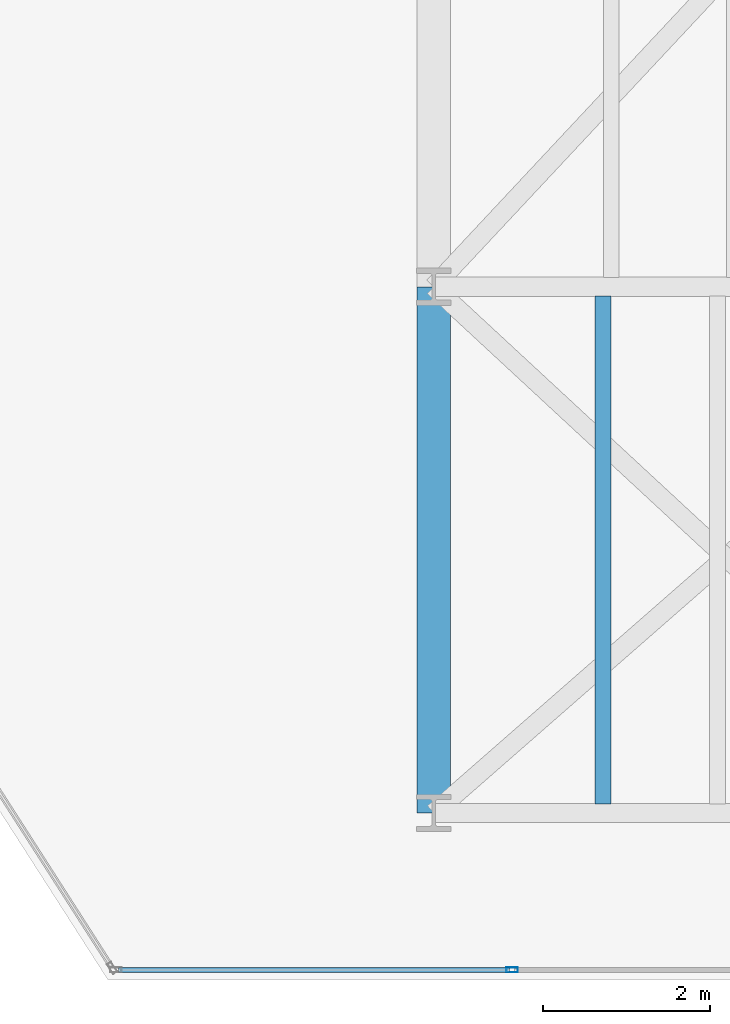
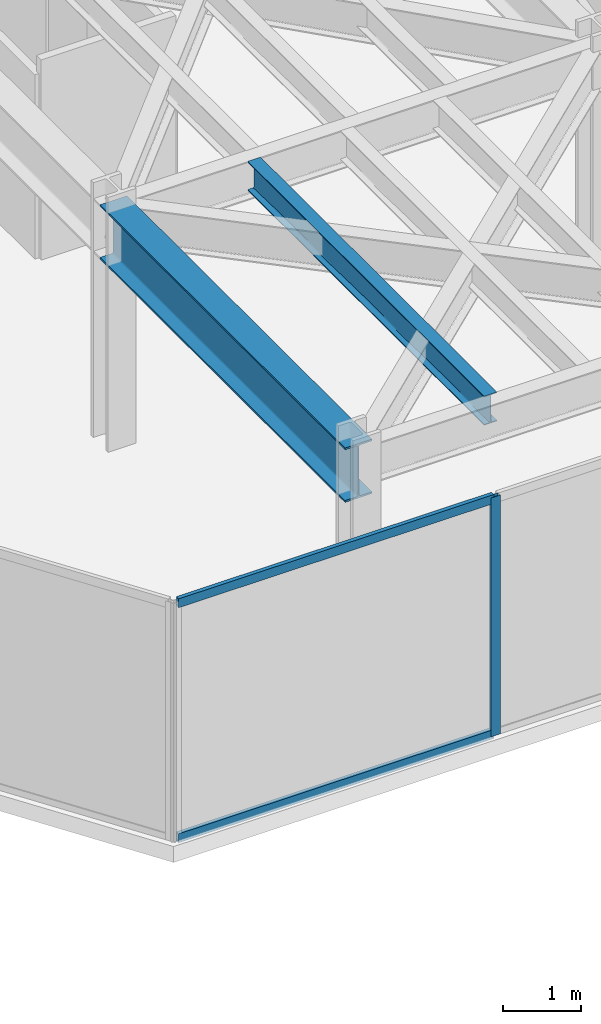
# One storey, part 16 of 26: 3 members, 2 beams, 1 element without a shape of its own.
"""IFC4 building model written with IfcOpenShell, lengths in metres."""

from ifc_helpers import new_model, si_unit, direction, frame, origin, origin_2d, place, context, subcontext, project, spatial, hollow_rectangle, i_section, extrude, material, layer, layer_set, material_profile, profile_set, type_object, element, aggregate, save


model = new_model("IFC4")

# Units and contexts
model_context = context("Model", 3, precision=1e-05, world=origin(), true_north=direction((0.0, 1.0)))
body_context = subcontext(model_context, "Body", "Model", "MODEL_VIEW")
ifc_project = project(units=[si_unit("LENGTHUNIT", "METRE"), si_unit("AREAUNIT", "SQUARE_METRE"), si_unit("VOLUMEUNIT", "CUBIC_METRE"), si_unit("PLANEANGLEUNIT", "RADIAN"), si_unit("MASSUNIT", "GRAM", prefix="KILO")], contexts=[model_context])

# Site, building, storey
site_placement = place(None, origin())
site = spatial("IfcSite", under=ifc_project, at=site_placement, CompositionType="ELEMENT")
building_placement = place(site_placement, origin())
building = spatial("IfcBuilding", under=site, at=building_placement, Name="Kravanh Interchange Tower", CompositionType="ELEMENT")
storey_placement = place(building_placement, frame((0.0, 0.0, 132.0)))
storey = spatial("IfcBuildingStorey", under=building, at=storey_placement, Name="L31", CompositionType="ELEMENT", Elevation=132.0)

# Curtain wall, members
ifc_material_1 = material(Name="Anodised Bronze Aluminium", Category="aluminium")
ifc_layer = layer(ifc_material_1, 0.179931640625)
ifc_layer_set = layer_set([ifc_layer], Name="Unitised Curtain Wall System CW-Z2 Mid Office")
curtain_wall_type = type_object("IfcCurtainWallType", Name="Unitised Curtain Wall System CW-Z2 Mid Office", PredefinedType="NOTDEFINED", material=ifc_layer_set)
curtain_wall_placement = place(storey_placement, origin())
curtain_wall = element("IfcCurtainWall", 1, at=curtain_wall_placement, inside=storey, type_object=curtain_wall_type, Name="L31 Unitised Curtain Wall CW-L31-03", PredefinedType="NOTDEFINED")
ifc_material_2 = material(Name="Anodised Bronze Aluminium", Category="aluminium")
ifc_material_profile_1 = material_profile(ifc_material_2, hollow_rectangle(XDim=0.06005859375, YDim=0.139892578125, WallThickness=0.00390625, at=origin_2d()), Name="ALU60X140X4")
ifc_profile_set_1 = profile_set([ifc_material_profile_1], Name="Anodised Bronze Aluminium")
member_type_1 = type_object("IfcMemberType", Name="Curtain Wall Mullion ALU60X140X4 Bronze", PredefinedType="MULLION", material=ifc_profile_set_1)
member_1_placement = place(storey_placement, frame((56.93798828125, 6.320068359375, 0.0), z_axis=(0.0, 0.0, 1.0), x_axis=(0.0, -1.0, 0.0)))
member_1 = element("IfcMember", 2, at=member_1_placement, type_object=member_type_1, Name="CW-Z2 mullion 2", PredefinedType="MULLION", context=body_context, shape_type="SweptSolid", body=[
    extrude(hollow_rectangle(XDim=0.06005859375, YDim=0.139892578125, WallThickness=0.00390625, at=origin_2d()), origin(), (0.0, 0.0, 1.0), 3.75),
])
ifc_material_3 = material(Name="Anodised Bronze Aluminium", Category="aluminium")
ifc_material_profile_2 = material_profile(ifc_material_3, hollow_rectangle(XDim=0.06005859375, YDim=0.139892578125, WallThickness=0.00390625, at=origin_2d()), Name="ALU60X140X4")
ifc_profile_set_2 = profile_set([ifc_material_profile_2], Name="Anodised Bronze Aluminium")
member_type_2 = type_object("IfcMemberType", Name="Curtain Wall Transom ALU60X140X4 Bronze", PredefinedType="USERDEFINED", material=ifc_profile_set_2)
member_2_placement = place(storey_placement, frame((56.907958984375, 6.320068359375, 0.030029296875), z_axis=(-1.0, 0.0, 0.0), x_axis=(0.0, -1.0, 0.0)))
member_2 = element("IfcMember", 3, at=member_2_placement, type_object=member_type_2, Name="CW-Z2 transom 2.1", ObjectType="TRANSOM", PredefinedType="USERDEFINED", context=body_context, shape_type="SweptSolid", body=[
    extrude(hollow_rectangle(XDim=0.06005859375, YDim=0.139892578125, WallThickness=0.00390625, at=origin_2d()), origin(), (0.0, 0.0, 1.0), 4.682373046875),
])
member_3_placement = place(storey_placement, frame((56.907958984375, 6.320068359375, 3.719970703125), z_axis=(-1.0, 0.0, 0.0), x_axis=(0.0, -1.0, 0.0)))
member_3 = element("IfcMember", 4, at=member_3_placement, type_object=member_type_2, Name="CW-Z2 transom 2.2", ObjectType="TRANSOM", PredefinedType="USERDEFINED", context=body_context, shape_type="SweptSolid", body=[
    extrude(hollow_rectangle(XDim=0.06005859375, YDim=0.139892578125, WallThickness=0.00390625, at=origin_2d()), origin(), (0.0, 0.0, 1.0), 4.682373046875),
])
aggregate(curtain_wall, [member_1, member_2, member_3])

# Beams
ifc_material_4 = material(Name="Structural Steel S355", Category="steel")
ifc_material_profile_3 = material_profile(ifc_material_4, i_section(OverallWidth=0.39990234375, OverallDepth=0.85595703125, WebThickness=0.018310546875, FlangeThickness=0.029296875, FilletRadius=0.02490234375, at=origin_2d()), Name="W33X201")
ifc_profile_set_3 = profile_set([ifc_material_profile_3], Name="Structural Steel S355")
beam_type_1 = type_object("IfcBeamType", Name="Floor Beam W33X201 Structural Steel S355", PredefinedType="BEAM", material=ifc_profile_set_3)
beam_1_placement = place(storey_placement, frame((56.0, 8.199951171875, 3.322021484375), z_axis=(0.0, 1.0, 0.0), x_axis=(-1.0, 0.0, 0.0)))
element("IfcBeam", 5, at=beam_1_placement, inside=storey, type_object=beam_type_1, Name="L31 Primary Floor Girder 95", PredefinedType="BEAM", context=body_context, shape_type="SweptSolid", body=[
    extrude(i_section(OverallWidth=0.39990234375, OverallDepth=0.85595703125, WebThickness=0.018310546875, FlangeThickness=0.029296875, FilletRadius=0.02490234375, at=origin_2d()), origin(), (0.0, 0.0, 1.0), 6.300048828125),
])
ifc_material_5 = material(Name="Structural Steel S355", Category="steel")
ifc_material_profile_4 = material_profile(ifc_material_5, i_section(OverallWidth=0.18994140625, OverallDepth=0.45703125, WebThickness=0.009033203125, FlangeThickness=0.014404296875, FilletRadius=0.01806640625, at=origin_2d()), Name="W18X50")
ifc_profile_set_4 = profile_set([ifc_material_profile_4], Name="Structural Steel S355")
beam_type_2 = type_object("IfcBeamType", Name="Floor Joist W18X50 Structural Steel S355", PredefinedType="JOIST", material=ifc_profile_set_4)
beam_2_placement = place(storey_placement, frame((58.02490234375, 8.30908203125, 3.521484375), z_axis=(0.0, 1.0, 0.0), x_axis=(-1.0, 0.0, 0.0)))
element("IfcBeam", 6, at=beam_2_placement, inside=storey, type_object=beam_type_2, Name="L31 Secondary Floor Joist 4", PredefinedType="JOIST", context=body_context, shape_type="SweptSolid", body=[
    extrude(i_section(OverallWidth=0.18994140625, OverallDepth=0.45703125, WebThickness=0.009033203125, FlangeThickness=0.014404296875, FilletRadius=0.01806640625, at=origin_2d()), origin(), (0.0, 0.0, 1.0), 6.08203125),
])

save(model, "model.ifc")
